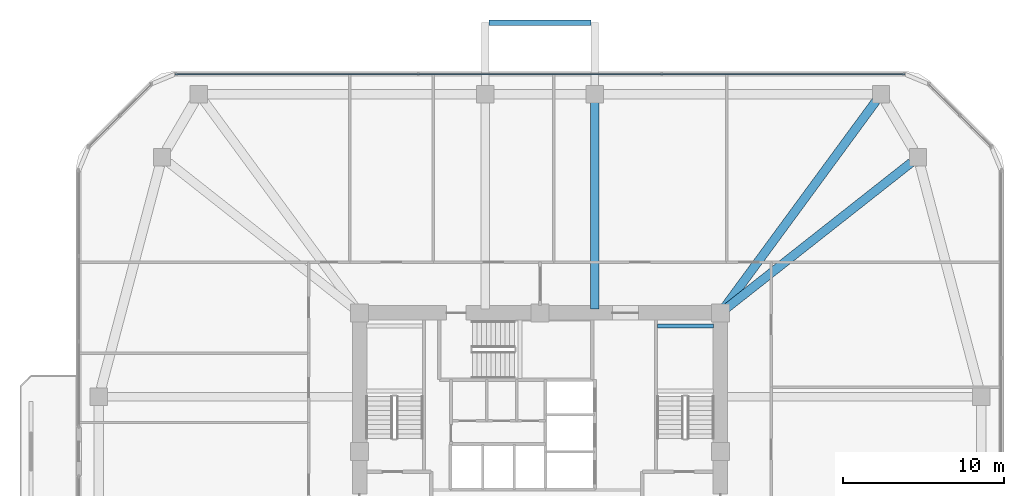
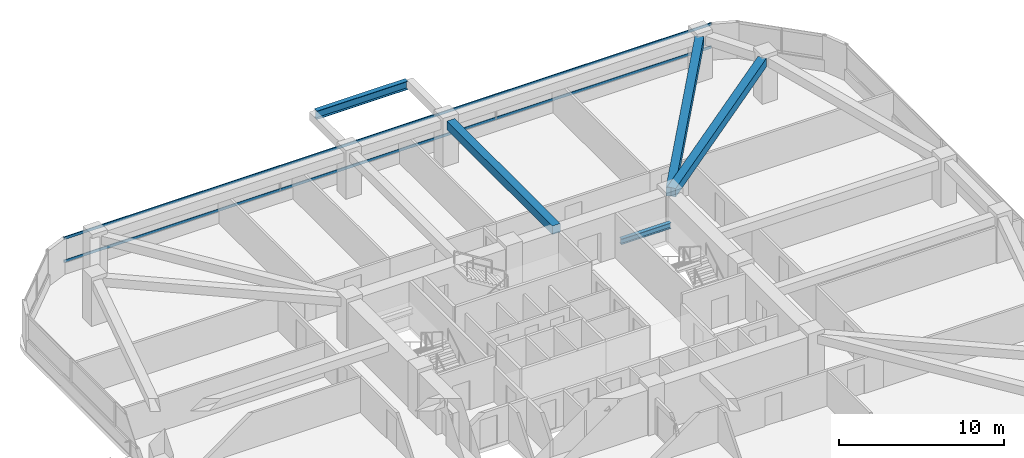
# One storey, part 6 of 13: 5 beams, 2 members, 1 element without a shape of its own.
"""IFC4 building model written with IfcOpenShell, lengths in metres."""

from ifc_helpers import new_model, si_unit, derived_unit, direction, frame, origin, origin_2d, place, context, subcontext, project, spatial, rectangle, i_section, extrude, material, material_profile, profile_set, type_object, element, aggregate, save


model = new_model("IFC4")

# Units and contexts
model_context = context("Model", 3, precision=1e-05, world=origin(), true_north=direction((0.0, 1.0)))
body_context = subcontext(model_context, "Body", "Model", "MODEL_VIEW")
ifc_project = project(units=[si_unit("LENGTHUNIT", "METRE"), si_unit("AREAUNIT", "SQUARE_METRE"), si_unit("VOLUMEUNIT", "CUBIC_METRE"), si_unit("PLANEANGLEUNIT", "RADIAN"), si_unit("MASSUNIT", "GRAM", prefix="KILO"), derived_unit("THERMALTRANSMITTANCEUNIT", [(si_unit("POWERUNIT", "WATT"), 1), (si_unit("LENGTHUNIT", "METRE"), -2), (si_unit("THERMODYNAMICTEMPERATUREUNIT", "KELVIN"), -1)])], contexts=[model_context])

# Site, building, storey
site_placement = place(None, origin())
site = spatial("IfcSite", under=ifc_project, at=site_placement, CompositionType="ELEMENT")
building_placement = place(site_placement, origin())
building = spatial("IfcBuilding", under=site, at=building_placement, Name="Koralith Skygarden Medical Center", CompositionType="ELEMENT")
storey_placement = place(building_placement, frame((0.0, 0.0, 49.139892578125)))
storey = spatial("IfcBuildingStorey", under=building, at=storey_placement, Name="L12", CompositionType="ELEMENT", Elevation=49.139892578125)

# Curtain wall, members
ifc_material_1 = material(Name="Clear Laminated Glass", Category="glass")
curtain_wall_type = type_object("IfcCurtainWallType", Name="CW-2 Zone 1 Hurricane Unitised Curtain Wall", PredefinedType="NOTDEFINED", material=ifc_material_1)
curtain_wall_placement = place(storey_placement, origin())
curtain_wall = element("IfcCurtainWall", 1, at=curtain_wall_placement, inside=storey, type_object=curtain_wall_type, Name="Curtain Wall CW-L12-N", PredefinedType="NOTDEFINED")
ifc_material_2 = material(Name="Aluminium 6063-T6", Category="aluminium")
ifc_material_profile_1 = material_profile(ifc_material_2, rectangle(XDim=0.06591796875, YDim=0.197998046875, at=origin_2d()), Name="TRN66X198")
ifc_profile_set_1 = profile_set([ifc_material_profile_1], Name="Aluminium 6063-T6")
member_type = type_object("IfcMemberType", Name="CW-2 Thermal Transom 66x198", PredefinedType="USERDEFINED", material=ifc_profile_set_1)
member_1_placement = place(storey_placement, frame((59.64501953125, 49.320068359375, 0.900146484375), z_axis=(-1.0, 0.0, 0.0), x_axis=(0.0, -1.0, 0.0)))
member_1 = element("IfcMember", 2, at=member_1_placement, type_object=member_type, Name="CW-L12-N Transom 1", ObjectType="TRANSOM", PredefinedType="USERDEFINED", context=body_context, shape_type="SweptSolid", body=[
    extrude(rectangle(XDim=0.06591796875, YDim=0.197998046875, at=origin_2d()), origin(), (0.0, 0.0, 1.0), 45.2900390625),
])
member_2_placement = place(storey_placement, frame((59.64501953125, 49.320068359375, 2.60009765625), z_axis=(-1.0, 0.0, 0.0), x_axis=(0.0, -1.0, 0.0)))
member_2 = element("IfcMember", 3, at=member_2_placement, type_object=member_type, Name="CW-L12-N Transom 2", ObjectType="TRANSOM", PredefinedType="USERDEFINED", context=body_context, shape_type="SweptSolid", body=[
    extrude(rectangle(XDim=0.06591796875, YDim=0.197998046875, at=origin_2d()), origin(), (0.0, 0.0, 1.0), 45.2900390625),
])
aggregate(curtain_wall, [member_1, member_2])

# Beams
ifc_material_3 = material(Name="Steel ASTM A992 Grade 50", Category="steel")
ifc_material_profile_2 = material_profile(ifc_material_3, i_section(OverallWidth=0.326904296875, OverallDepth=0.6220703125, WebThickness=0.015380859375, FlangeThickness=0.0244140625, at=origin_2d()), Name="W24X131")
ifc_profile_set_2 = profile_set([ifc_material_profile_2], Name="Steel ASTM A992 Grade 50")
beam_type_1 = type_object("IfcBeamType", Name="Cantilever Tie Beam W24X131", PredefinedType="BEAM", material=ifc_profile_set_2)
beam_1_placement = place(storey_placement, frame((33.820068359375, 52.52001953125, 3.029052734375), z_axis=(1.0, 0.0, 0.0), x_axis=(0.0, 1.0, 0.0)))
element("IfcBeam", 4, at=beam_1_placement, inside=storey, type_object=beam_type_1, Name="L13 N Balcony Tip Tie Beam", PredefinedType="BEAM", context=body_context, shape_type="SweptSolid", body=[
    extrude(i_section(OverallWidth=0.326904296875, OverallDepth=0.6220703125, WebThickness=0.015380859375, FlangeThickness=0.0244140625, at=origin_2d()), origin(), (0.0, 0.0, 1.0), 6.35986328125),
])
ifc_material_profile_3 = material_profile(ifc_material_3, i_section(OverallWidth=0.260009765625, OverallDepth=0.4150390625, WebThickness=0.010009765625, FlangeThickness=0.016845703125, at=origin_2d()), Name="W16X67")
ifc_profile_set_3 = profile_set([ifc_material_profile_3], Name="Steel ASTM A992 Grade 50")
beam_type_2 = type_object("IfcBeamType", Name="Clinical Floor Joist W16X67", PredefinedType="JOIST", material=ifc_profile_set_3)
beam_2_placement = place(storey_placement, frame((44.280029296875, 33.699951171875, 1.39208984375), z_axis=(1.0, 0.0, 0.0), x_axis=(0.0, 1.0, 0.0)))
element("IfcBeam", 5, at=beam_2_placement, inside=storey, type_object=beam_type_2, Name="L12 Stair ST2 Half-Landing Support Beam 1B", PredefinedType="JOIST", context=body_context, shape_type="SweptSolid", body=[
    extrude(i_section(OverallWidth=0.260009765625, OverallDepth=0.4150390625, WebThickness=0.010009765625, FlangeThickness=0.016845703125, at=origin_2d()), origin(), (0.0, 0.0, 1.0), 3.489990234375),
])
ifc_material_4 = material(Name="Concrete C45/55", Category="concrete")
ifc_material_profile_4 = material_profile(ifc_material_4, rectangle(XDim=0.550048828125, YDim=0.639892578125, at=origin_2d()), Name="RCB550X640")
ifc_profile_set_4 = profile_set([ifc_material_profile_4], Name="Concrete C45/55")
beam_type_3 = type_object("IfcBeamType", Name="Radial Collector Beam RCB550X640", PredefinedType="BEAM", material=ifc_profile_set_4)
beam_3_placement = place(storey_placement, frame((48.39599609375, 34.655029296875, 3.0), z_axis=(0.785497250365, 0.618865146594, 0.0), x_axis=(-0.618865146594, 0.785497250365, 0.0)))
element("IfcBeam", 6, at=beam_3_placement, inside=storey, type_object=beam_type_3, Name="L12 Radial Collector Beam RB-10", PredefinedType="BEAM", context=body_context, shape_type="SweptSolid", body=[
    extrude(rectangle(XDim=0.550048828125, YDim=0.639892578125, at=origin_2d()), origin(), (0.0, 0.0, 1.0), 14.828857421875),
])
beam_4_placement = place(storey_placement, frame((48.347900390625, 34.701904296875, 3.0), z_axis=(0.591710803277, 0.806150311843, 0.0), x_axis=(-0.806150311843, 0.591710803277, 0.0)))
element("IfcBeam", 7, at=beam_4_placement, inside=storey, type_object=beam_type_3, Name="L12 Radial Collector Beam RB-11", PredefinedType="BEAM", context=body_context, shape_type="SweptSolid", body=[
    extrude(rectangle(XDim=0.550048828125, YDim=0.639892578125, at=origin_2d()), origin(), (0.0, 0.0, 1.0), 16.0654296875),
])
beam_5_placement = place(storey_placement, frame((40.39990234375, 34.75, 3.0), z_axis=(0.0, 1.0, 0.0), x_axis=(-1.0, 0.0, 0.0)))
element("IfcBeam", 8, at=beam_5_placement, inside=storey, type_object=beam_type_3, Name="L12 Radial Collector Beam RB-12", PredefinedType="BEAM", context=body_context, shape_type="SweptSolid", body=[
    extrude(rectangle(XDim=0.550048828125, YDim=0.639892578125, at=origin_2d()), origin(), (0.0, 0.0, 1.0), 12.800048828125),
])

save(model, "model.ifc")
